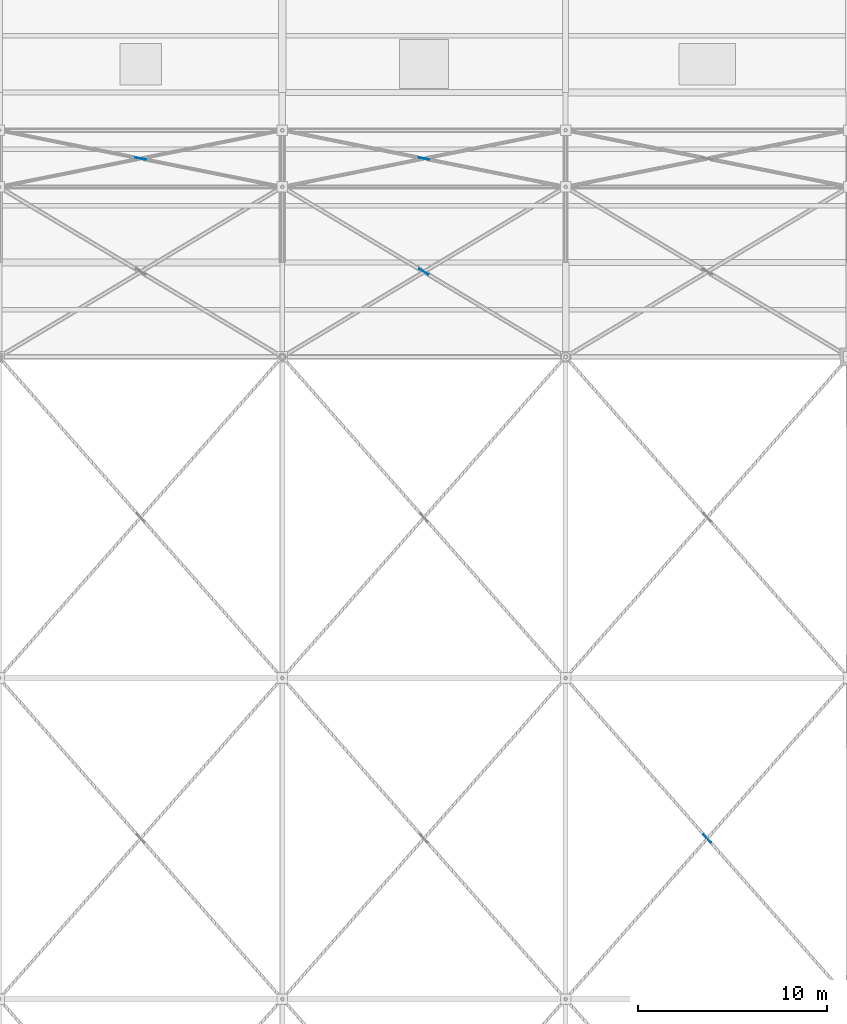
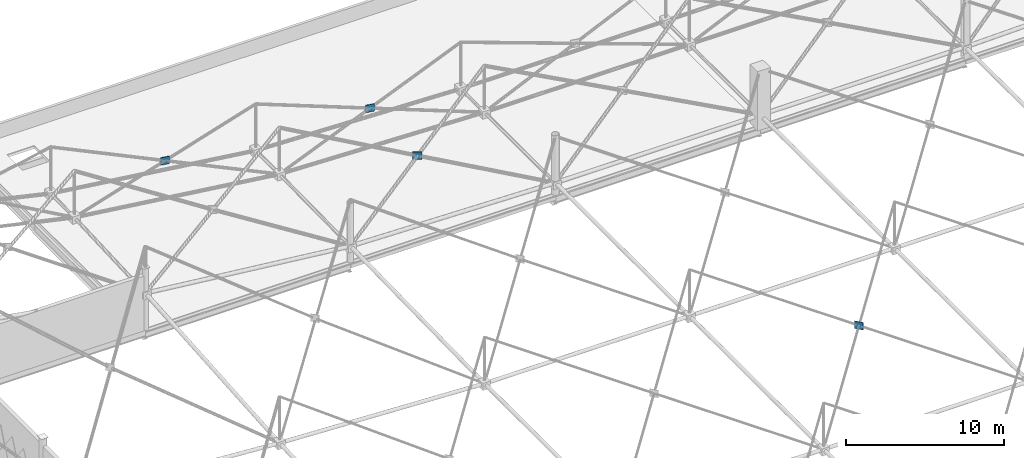
# One storey, part 185 of 224: 4 plates.
"""IFC4 building model written with IfcOpenShell, lengths in metres."""

from ifc_helpers import new_model, si_unit, direction, frame, origin, origin_2d, place, context, subcontext, project, spatial, rectangle, extrude, material, layer, layer_set, type_object, element, save


model = new_model("IFC4")

# Units and contexts
model_context = context("Model", 3, precision=1e-05, world=origin(), true_north=direction((0.0, 1.0)))
body_context = subcontext(model_context, "Body", "Model", "MODEL_VIEW")
ifc_project = project(units=[si_unit("LENGTHUNIT", "METRE"), si_unit("AREAUNIT", "SQUARE_METRE"), si_unit("VOLUMEUNIT", "CUBIC_METRE"), si_unit("PLANEANGLEUNIT", "RADIAN"), si_unit("MASSUNIT", "GRAM", prefix="KILO")], contexts=[model_context])

# Site, building, storey
site_placement = place(None, origin())
site = spatial("IfcSite", under=ifc_project, at=site_placement, CompositionType="ELEMENT")
building_placement = place(site_placement, origin())
building = spatial("IfcBuilding", under=site, at=building_placement, Name="Qamarlyn Nura Convention Centre", CompositionType="ELEMENT")
storey_placement = place(building_placement, frame((0.0, 0.0, 10.800048828125)))
storey = spatial("IfcBuildingStorey", under=building, at=storey_placement, Name="L02", CompositionType="ELEMENT", Elevation=10.800048828125)

# Plates
ifc_material = material(Name="Structural steel ASTM A572 Grade 50", Category="steel")
ifc_layer = layer(ifc_material, 0.035888671875, Name="GP-SN1")
ifc_layer_set = layer_set([ifc_layer], Name="Structural steel ASTM A572 Grade 50")
plate_type = type_object("IfcPlateType", Name="GP-SN1", PredefinedType="USERDEFINED", material=ifc_layer_set)
for number, where, z_axis, x_axis, name in (
    (1, (22.5, 113.5, 3.737548828125), (0.0, 0.0, 1.0), (-0.980580786845, 0.196115579366, 0.0), "Space frame X-brace crossing gusset plate 3-8"),
    (2, (37.5, 107.5, 2.513916015625), (0.0, 0.0, 1.0), (-0.857492535386, 0.514496405972, 0.0), "Space frame X-brace crossing gusset plate 4-7"),
    (3, (37.5, 113.5, 2.544921875), (0.0, 0.0, 1.0), (-0.980580786845, 0.196115579366, 0.0), "Space frame X-brace crossing gusset plate 4-8"),
    (4, (52.5, 77.5, 2.309814453125), (0.0, 0.0, 1.0), (-0.661622086957, 0.749837458421, 0.0), "Space frame X-brace crossing gusset plate 5-5"),
):
    element("IfcPlate", number, at=place(storey_placement, frame(where, z_axis=z_axis, x_axis=x_axis)), inside=storey, type_object=plate_type, Name=name, ObjectType="GUSSET PLATE", PredefinedType="USERDEFINED", context=body_context, shape_type="SweptSolid", body=[
        extrude(rectangle(XDim=0.580078125, YDim=0.035888671875, at=origin_2d()), origin(), (0.0, 0.0, 1.0), 0.580078125),
    ])

save(model, "model.ifc")
